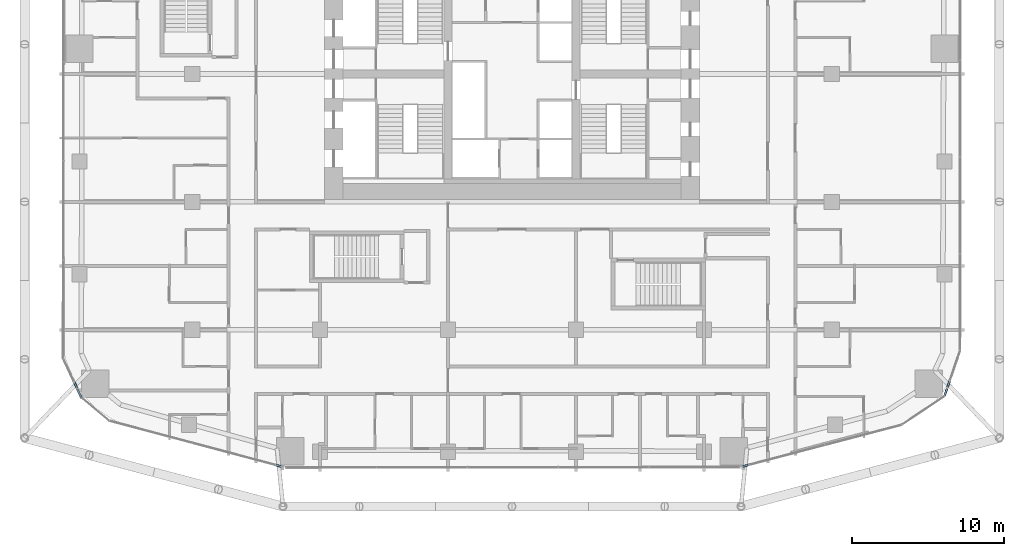
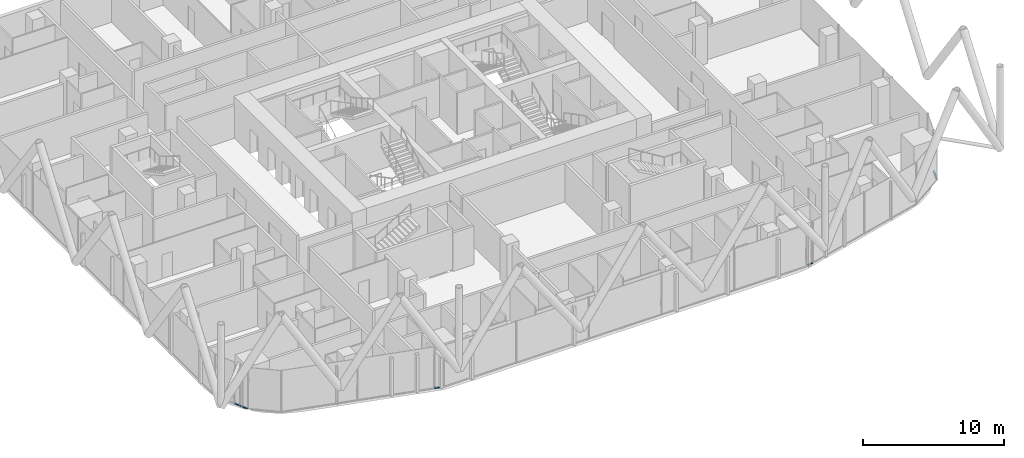
# One storey, part 16 of 34: 6 members, 6 elements without a shape of their own.
"""IFC4 building model written with IfcOpenShell, lengths in metres."""

from ifc_helpers import new_model, si_unit, direction, frame, origin, origin_2d, place, context, subcontext, project, spatial, rectangle, extrude, material, layer, layer_set, material_profile, profile_set, type_object, element, aggregate, save


model = new_model("IFC4")

# Units and contexts
model_context = context("Model", 3, precision=1e-05, world=origin(), true_north=direction((0.0, 1.0)))
body_context = subcontext(model_context, "Body", "Model", "MODEL_VIEW")
ifc_project = project(units=[si_unit("LENGTHUNIT", "METRE"), si_unit("AREAUNIT", "SQUARE_METRE"), si_unit("VOLUMEUNIT", "CUBIC_METRE"), si_unit("PLANEANGLEUNIT", "RADIAN"), si_unit("MASSUNIT", "GRAM", prefix="KILO")], contexts=[model_context])

# Site, building, storey
site_placement = place(None, origin())
site = spatial("IfcSite", under=ifc_project, at=site_placement, CompositionType="ELEMENT")
building_placement = place(site_placement, origin())
building = spatial("IfcBuilding", under=site, at=building_placement, Name="Marenta Gate Hotel Tower", CompositionType="ELEMENT")
storey_placement = place(building_placement, frame((0.0, 0.0, 76.10009765625)))
storey = spatial("IfcBuildingStorey", under=building, at=storey_placement, Name="L17", CompositionType="ELEMENT", Elevation=76.10009765625)

# Curtain wall, member
ifc_material_1 = material(Name="Tinted insulated glass in bronze anodised frame", Category="glass")
ifc_layer = layer(ifc_material_1, 0.1201171875)
ifc_layer_set = layer_set([ifc_layer], Name="Tinted insulated glass in bronze anodised frame")
curtain_wall_type = type_object("IfcCurtainWallType", Name="Tower unitised curtain wall CW1", PredefinedType="NOTDEFINED", material=ifc_layer_set)
curtain_wall_1_placement = place(storey_placement, origin())
curtain_wall_1 = element("IfcCurtainWall", 1, at=curtain_wall_1_placement, inside=storey, type_object=curtain_wall_type, Name="CW1 run G06", PredefinedType="NOTDEFINED")
ifc_material_2 = material(Name="Bronze anodised aluminium", Category="aluminium")
ifc_material_profile = material_profile(ifc_material_2, rectangle(XDim=0.1201171875, YDim=0.06005859375, at=origin_2d()), Name="Transom CW1 60x120 bronze anodised aluminium")
ifc_profile_set = profile_set([ifc_material_profile], Name="Bronze anodised aluminium")
member_type = type_object("IfcMemberType", Name="Transom CW1 60x120 bronze anodised aluminium", PredefinedType="USERDEFINED", material=ifc_profile_set)
member_1_placement = place(storey_placement, frame((-28.739501953125, -11.84619140625, 0.02978515625), z_axis=(0.422979592387, -0.906139208082, 0.0), x_axis=(0.906139208082, 0.422979592387, 0.0)))
member_1 = element("IfcMember", 2, at=member_1_placement, type_object=member_type, Name="CW1 transom 1.1", ObjectType="TRANSOM", PredefinedType="USERDEFINED", context=body_context, shape_type="SweptSolid", body=[
    extrude(rectangle(XDim=0.1201171875, YDim=0.06005859375, at=origin_2d()), origin(), (0.0, 0.0, 1.0), 0.426025390625),
])
aggregate(curtain_wall_1, [member_1])

curtain_wall_2_placement = place(storey_placement, origin())
curtain_wall_2 = element("IfcCurtainWall", 3, at=curtain_wall_2_placement, inside=storey, type_object=curtain_wall_type, Name="CW1 run G07", PredefinedType="NOTDEFINED")
member_2_placement = place(storey_placement, frame((-28.533935546875, -12.286376953125, 0.02978515625), z_axis=(0.423321437663, -0.905979558497, 0.0), x_axis=(0.905979558497, 0.423321437663, 0.0)))
member_2 = element("IfcMember", 4, at=member_2_placement, type_object=member_type, Name="CW1 transom 1.1", ObjectType="TRANSOM", PredefinedType="USERDEFINED", context=body_context, shape_type="SweptSolid", body=[
    extrude(rectangle(XDim=0.1201171875, YDim=0.06005859375, at=origin_2d()), origin(), (0.0, 0.0, 1.0), 0.613037109375),
])
aggregate(curtain_wall_2, [member_2])

curtain_wall_3_placement = place(storey_placement, origin())
curtain_wall_3 = element("IfcCurtainWall", 5, at=curtain_wall_3_placement, inside=storey, type_object=curtain_wall_type, Name="CW1 run G10", PredefinedType="NOTDEFINED")
member_3_placement = place(storey_placement, frame((-15.485595703125, -17.2841796875, 0.02978515625), z_axis=(0.96644611401, -0.256869439046, 0.0), x_axis=(0.256869439046, 0.96644611401, 0.0)))
member_3 = element("IfcMember", 6, at=member_3_placement, type_object=member_type, Name="CW1 transom 1.1", ObjectType="TRANSOM", PredefinedType="USERDEFINED", context=body_context, shape_type="SweptSolid", body=[
    extrude(rectangle(XDim=0.1201171875, YDim=0.06005859375, at=origin_2d()), origin(), (0.0, 0.0, 1.0), 0.364013671875),
])
aggregate(curtain_wall_3, [member_3])

curtain_wall_4_placement = place(storey_placement, origin())
curtain_wall_4 = element("IfcCurtainWall", 7, at=curtain_wall_4_placement, inside=storey, type_object=curtain_wall_type, Name="CW1 run G12", PredefinedType="NOTDEFINED")
member_4_placement = place(storey_placement, frame((15.13232421875, -17.376708984375, 0.02978515625), z_axis=(0.967298175174, 0.253641952966, 0.0), x_axis=(-0.253641952966, 0.967298175174, 0.0)))
member_4 = element("IfcMember", 8, at=member_4_placement, type_object=member_type, Name="CW1 transom 1.1", ObjectType="TRANSOM", PredefinedType="USERDEFINED", context=body_context, shape_type="SweptSolid", body=[
    extrude(rectangle(XDim=0.1201171875, YDim=0.06005859375, at=origin_2d()), origin(), (0.0, 0.0, 1.0), 0.423583984375),
])
aggregate(curtain_wall_4, [member_4])

curtain_wall_5_placement = place(storey_placement, origin())
curtain_wall_5 = element("IfcCurtainWall", 9, at=curtain_wall_5_placement, inside=storey, type_object=curtain_wall_type, Name="CW1 run G15", PredefinedType="NOTDEFINED")
member_5_placement = place(storey_placement, frame((28.4150390625, -12.70458984375, 0.02978515625), z_axis=(0.322254212139, 0.946653169201, 0.0), x_axis=(-0.946653169201, 0.322254212139, 0.0)))
member_5 = element("IfcMember", 10, at=member_5_placement, type_object=member_type, Name="CW1 transom 1.1", ObjectType="TRANSOM", PredefinedType="USERDEFINED", context=body_context, shape_type="SweptSolid", body=[
    extrude(rectangle(XDim=0.1201171875, YDim=0.06005859375, at=origin_2d()), origin(), (0.0, 0.0, 1.0), 0.485595703125),
])
aggregate(curtain_wall_5, [member_5])

curtain_wall_6_placement = place(storey_placement, origin())
curtain_wall_6 = element("IfcCurtainWall", 11, at=curtain_wall_6_placement, inside=storey, type_object=curtain_wall_type, Name="CW1 run G16", PredefinedType="NOTDEFINED")
member_6_placement = place(storey_placement, frame((28.5908203125, -12.18798828125, 0.02978515625), z_axis=(0.321912448893, 0.946769441442, 0.0), x_axis=(-0.946769441442, 0.321912448893, 0.0)))
member_6 = element("IfcMember", 12, at=member_6_placement, type_object=member_type, Name="CW1 transom 1.1", ObjectType="TRANSOM", PredefinedType="USERDEFINED", context=body_context, shape_type="SweptSolid", body=[
    extrude(rectangle(XDim=0.1201171875, YDim=0.06005859375, at=origin_2d()), origin(), (0.0, 0.0, 1.0), 0.450439453125),
])
aggregate(curtain_wall_6, [member_6])

save(model, "model.ifc")
